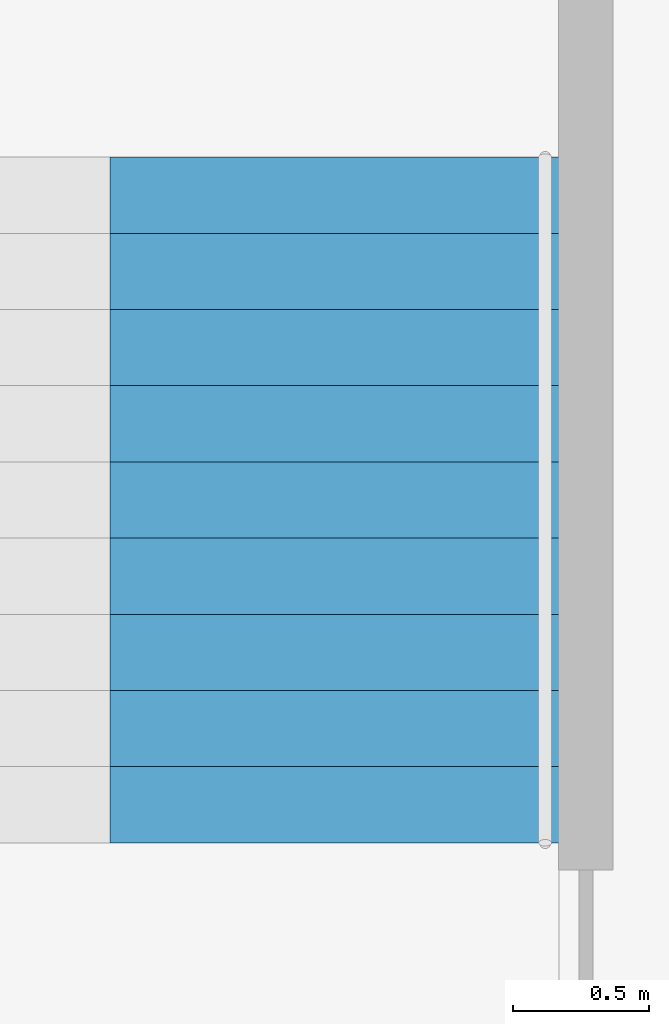
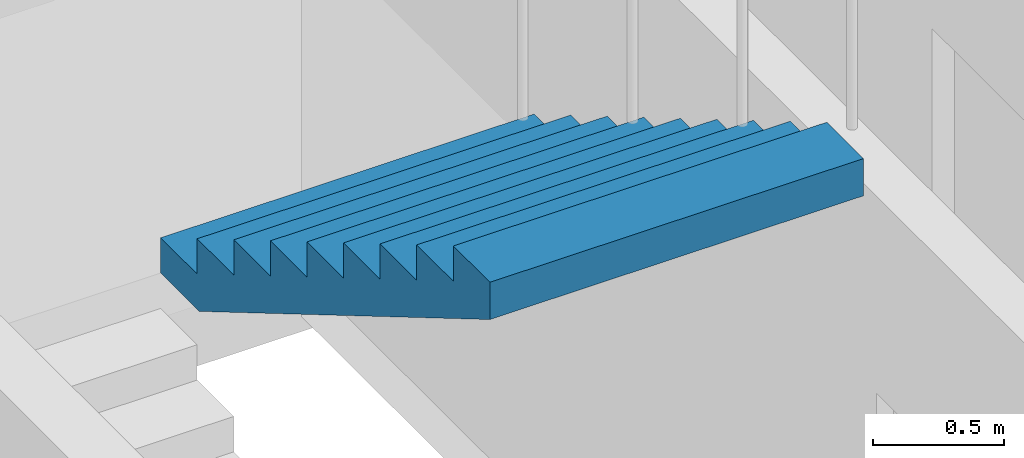
# One storey, part 9 of 12: 1 stair flight, 1 element without a shape of its own.
"""IFC4 building model written with IfcOpenShell, lengths in metres."""

from ifc_helpers import new_model, si_unit, direction, frame, origin, place, context, subcontext, project, spatial, polyline, outline, extrude, material, type_object, element, aggregate, save


model = new_model("IFC4")

# Units and contexts
model_context = context("Model", 3, precision=1e-05, world=origin(), true_north=direction((0.0, 1.0)))
body_context = subcontext(model_context, "Body", "Model", "MODEL_VIEW")
ifc_project = project(units=[si_unit("LENGTHUNIT", "METRE"), si_unit("AREAUNIT", "SQUARE_METRE"), si_unit("VOLUMEUNIT", "CUBIC_METRE"), si_unit("PLANEANGLEUNIT", "RADIAN"), si_unit("MASSUNIT", "GRAM", prefix="KILO")], contexts=[model_context])

# Site, building, storey
site_placement = place(None, origin())
site = spatial("IfcSite", under=ifc_project, at=site_placement, CompositionType="ELEMENT")
building_placement = place(site_placement, origin())
building = spatial("IfcBuilding", under=site, at=building_placement, Name="Taillehof Tower", CompositionType="ELEMENT")
storey_placement = place(building_placement, frame((0.0, 0.0, 243.199951171875)))
storey = spatial("IfcBuildingStorey", under=building, at=storey_placement, Name="L69", CompositionType="ELEMENT", Elevation=243.199951171875)

# Stair, stair flight
ifc_material_1 = material(Name="Concrete C40/50", Category="concrete")
stair_type = type_object("IfcStairType", Name="Exit stair half-turn", PredefinedType="HALF_TURN_STAIR", material=ifc_material_1)
stair_placement = place(storey_placement, origin())
stair = element("IfcStair", 1, at=stair_placement, inside=storey, type_object=stair_type, Name="Exit stair S3", PredefinedType="HALF_TURN_STAIR")
ifc_material_2 = material(Name="Concrete C40/50", Category="concrete")
stair_flight_type = type_object("IfcStairFlightType", Name="Stair flight 1650 riser 165.0 going 280", PredefinedType="STRAIGHT", material=ifc_material_2)
stair_flight_placement = place(storey_placement, frame((-11.77490234375, 11.969970703125, 1.650146484375), z_axis=(0.0, 0.0, 1.0), x_axis=(0.0, -1.0, 0.0)))
stair_flight = element("IfcStairFlight", 2, at=stair_flight_placement, type_object=stair_flight_type, Name="S3 flight 2", NumberOfRisers=10, NumberOfTreads=9, PredefinedType="STRAIGHT", RiserHeight=0.165, TreadLength=0.28, context=body_context, shape_type="SweptSolid", body=[
    extrude(outline(polyline([(0.0, 0.0), (0.0, 0.00537109375), (0.0, 0.0107421875), (0.0, 0.015869140625), (0.0, 0.021240234375), (0.0, 0.026611328125), (0.0, 0.031982421875), (0.0, 0.037353515625), (0.0, 0.04248046875), (0.0, 0.0478515625), (0.0, 0.05322265625), (0.0, 0.05859375), (0.0, 0.06396484375), (0.0, 0.069091796875), (0.0, 0.074462890625), (0.0, 0.079833984375), (0.0, 0.085205078125), (0.0, 0.090576171875), (0.0, 0.095703125), (0.0, 0.10107421875), (0.0, 0.1064453125), (0.0, 0.11181640625), (0.0, 0.1171875), (0.0, 0.122314453125), (0.0, 0.127685546875), (0.0, 0.133056640625), (0.0, 0.138427734375), (0.0, 0.143798828125), (0.0, 0.14892578125), (0.0, 0.154296875), (0.0, 0.15966796875), (0.0, 0.1650390625), (0.280029296875, 0.1650390625), (0.280029296875, 0.330078125), (0.56005859375, 0.330078125), (0.56005859375, 0.4951171875), (0.840087890625, 0.4951171875), (0.840087890625, 0.659912109375), (1.1201171875, 0.659912109375), (1.1201171875, 0.824951171875), (1.39990234375, 0.824951171875), (1.39990234375, 0.989990234375), (1.679931640625, 0.989990234375), (1.679931640625, 1.155029296875), (1.9599609375, 1.155029296875), (1.9599609375, 1.320068359375), (2.239990234375, 1.320068359375), (2.239990234375, 1.485107421875), (2.52001953125, 1.485107421875), (2.52001953125, 1.4794921875), (2.52001953125, 1.473876953125), (2.52001953125, 1.46826171875), (2.52001953125, 1.462646484375), (2.52001953125, 1.45703125), (2.52001953125, 1.451416015625), (2.52001953125, 1.44580078125), (2.52001953125, 1.440185546875), (2.52001953125, 1.4345703125), (2.52001953125, 1.428955078125), (2.52001953125, 1.42333984375), (2.52001953125, 1.417724609375), (2.52001953125, 1.412109375), (2.52001953125, 1.406494140625), (2.52001953125, 1.40087890625), (2.52001953125, 1.395263671875), (2.52001953125, 1.3896484375), (2.52001953125, 1.384033203125), (2.52001953125, 1.37841796875), (2.52001953125, 1.372802734375), (2.52001953125, 1.3671875), (2.52001953125, 1.361572265625), (2.52001953125, 1.35595703125), (2.52001953125, 1.350341796875), (2.52001953125, 1.3447265625), (2.52001953125, 1.339111328125), (2.52001953125, 1.33349609375), (2.52001953125, 1.327880859375), (2.52001953125, 1.322265625), (2.52001953125, 1.316650390625), (2.52001953125, 1.31103515625), (0.295166015625, 0.0), (0.0, 0.0)])), frame((0.0, 0.824951171875, 0.0), z_axis=(0.0, -1.0, 0.0), x_axis=(1.0, 0.0, 0.0)), (0.0, 0.0, 1.0), 1.65),
])
aggregate(stair, [stair_flight])

save(model, "model.ifc")
